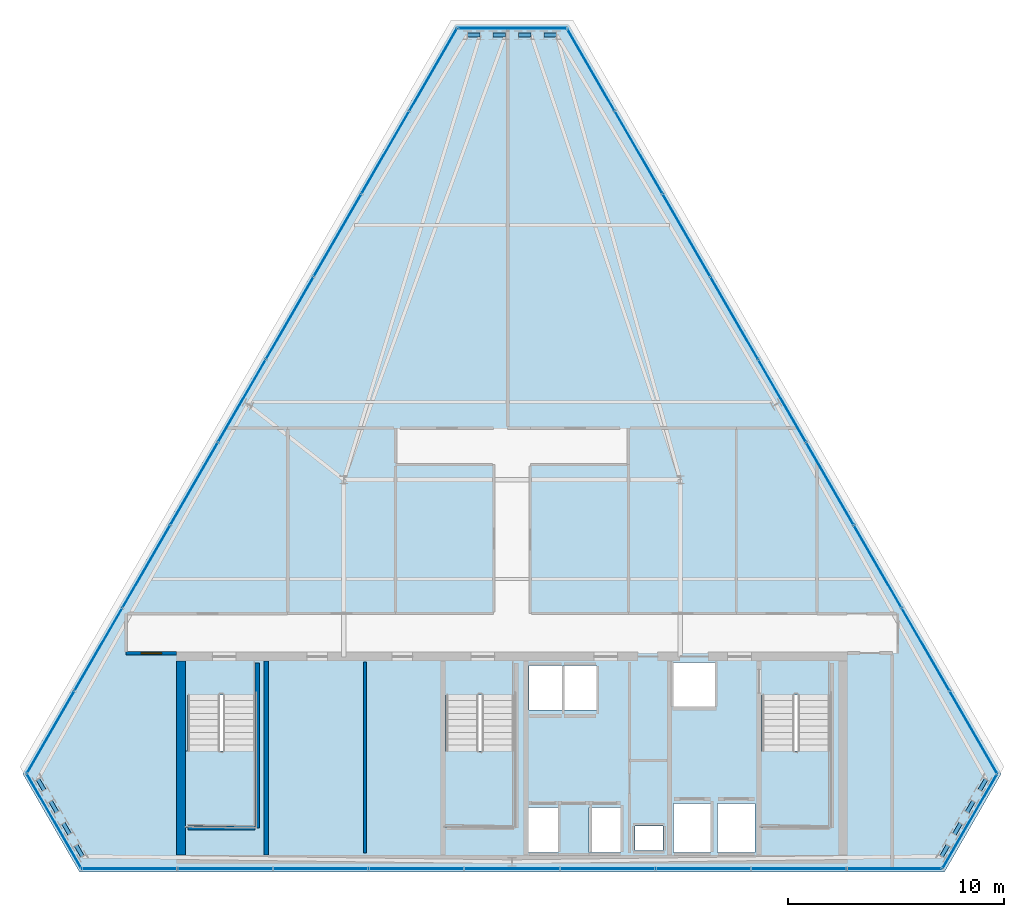
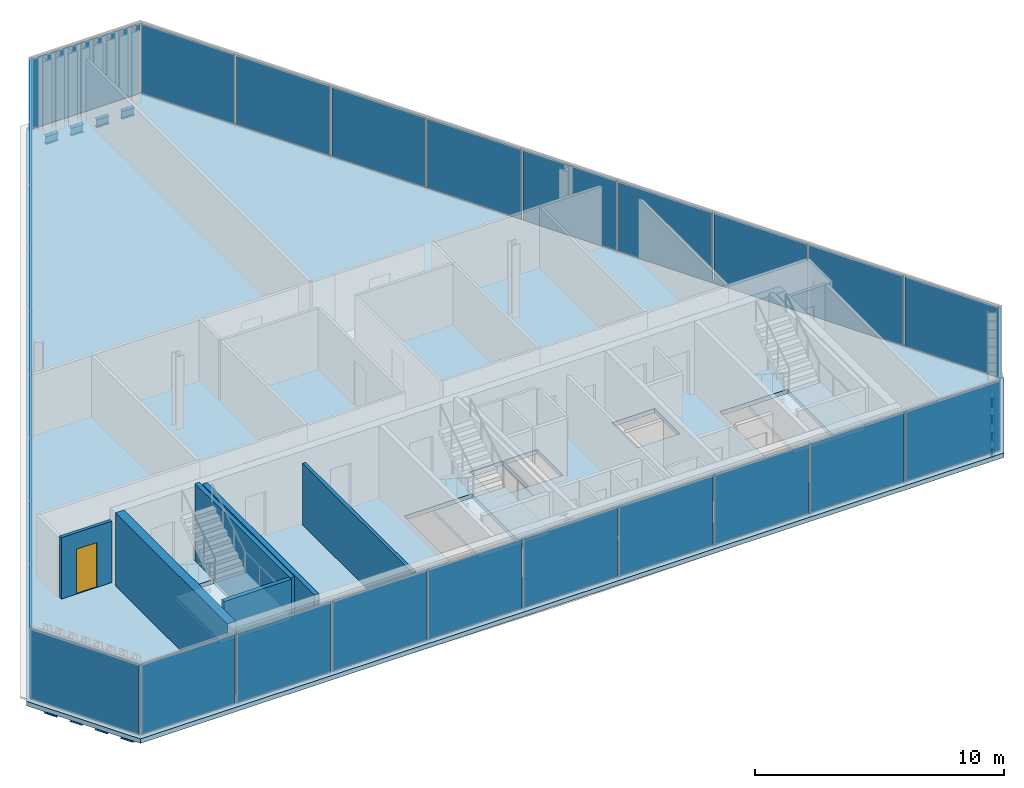
# One storey, part 29 of 35: 30 plates, 12 beams, 6 walls, 4 slabs, 1 door, 1 opening, 9 elements without a shape of their own.
"""IFC4 building model written with IfcOpenShell, lengths in metres."""

from ifc_helpers import new_model, si_unit, direction, frame, frame_2d, origin, origin_2d, place, context, subcontext, project, spatial, polyline, rectangle, i_section, outline, extrude, material, layer, layer_set, material_profile, profile_set, type_object, element, fill, aggregate, save


model = new_model("IFC4")

# Units and contexts
model_context = context("Model", 3, precision=1e-05, world=origin(), true_north=direction((0.0, 1.0)))
body_context = subcontext(model_context, "Body", "Model", "MODEL_VIEW")
ifc_project = project(units=[si_unit("LENGTHUNIT", "METRE"), si_unit("AREAUNIT", "SQUARE_METRE"), si_unit("VOLUMEUNIT", "CUBIC_METRE"), si_unit("PLANEANGLEUNIT", "RADIAN"), si_unit("MASSUNIT", "GRAM", prefix="KILO")], contexts=[model_context])

# Site, building, storey
site_placement = place(None, origin())
site = spatial("IfcSite", under=ifc_project, at=site_placement, CompositionType="ELEMENT")
building_placement = place(site_placement, origin())
building = spatial("IfcBuilding", under=site, at=building_placement, Name="Ndaravel Arena Tower", CompositionType="ELEMENT")
storey_placement = place(building_placement, frame((0.0, 0.0, 271.199951171875)))
storey = spatial("IfcBuildingStorey", under=building, at=storey_placement, Name="L66", CompositionType="ELEMENT", Elevation=271.199951171875)

# Beams
ifc_material_1 = material(Name="Steel S355", Category="steel")
ifc_material_profile = material_profile(ifc_material_1, i_section(OverallWidth=0.179931640625, OverallDepth=0.39990234375, WebThickness=0.008544921875, FlangeThickness=0.013427734375, FilletRadius=0.02099609375, at=origin_2d()), Name="IPE 400")
ifc_profile_set = profile_set([ifc_material_profile], Name="Steel S355")
beam_type = type_object("IfcBeamType", Name="BM-SPAN-IPE400", PredefinedType="SPANDREL", material=ifc_profile_set)
beam_1_placement = place(storey_placement, frame((61.921875, 5.735595703125, -0.419921875), z_axis=(0.500056887695, 0.865992557167, 0.0), x_axis=(-0.865992557167, 0.500056887695, 0.0)))
element("IfcBeam", 1, at=beam_1_placement, inside=storey, type_object=beam_type, Name="L66 Perimeter Spandrel Beam SP-02", PredefinedType="SPANDREL", context=body_context, shape_type="SweptSolid", body=[
    extrude(i_section(OverallWidth=0.179931640625, OverallDepth=0.39990234375, WebThickness=0.008544921875, FlangeThickness=0.013427734375, FilletRadius=0.02099609375, at=origin_2d()), origin(), (0.0, 0.0, 1.0), 0.58984375),
])
for number, where, z_axis, x_axis, name in (
    (2, (62.511962890625, 6.75732421875, -0.419921875), (0.499877680134, 0.866096013675, 0.0), (-0.866096013675, 0.499877680134, 0.0), "L66 Perimeter Spandrel Beam SP-04"),
    (3, (63.101806640625, 7.779296875, -0.419921875), (0.500187988959, 0.865916841101, 0.0), (-0.865916841101, 0.500187988959, 0.0), "L66 Perimeter Spandrel Beam SP-06"),
    (4, (63.69189453125, 8.80126953125, -0.419921875), (0.499877680134, 0.866096013675, 0.0), (-0.866096013675, 0.499877680134, 0.0), "L66 Perimeter Spandrel Beam SP-08"),
    (5, (44.065185546875, 43.818115234375, -0.419921875), (-1.0, 0.0, 0.0), (0.0, -1.0, 0.0), "L66 Perimeter Spandrel Beam SP-11"),
    (6, (42.885009765625, 43.818115234375, -0.419921875), (-1.0, 0.0, 0.0), (0.0, -1.0, 0.0), "L66 Perimeter Spandrel Beam SP-13"),
    (7, (41.705078125, 43.818115234375, -0.419921875), (-1.0, 0.0, 0.0), (0.0, -1.0, 0.0), "L66 Perimeter Spandrel Beam SP-15"),
    (8, (40.52490234375, 43.818115234375, -0.419921875), (-1.0, 0.0, 0.0), (0.0, -1.0, 0.0), "L66 Perimeter Spandrel Beam SP-17"),
    (9, (20.01318359375, 9.312255859375, -0.419921875), (0.499877680134, -0.866096013675, 0.0), (0.866096013675, 0.499877680134, 0.0), "L66 Perimeter Spandrel Beam SP-20"),
    (10, (20.60302734375, 8.290283203125, -0.419921875), (0.500187988959, -0.865916841101, 0.0), (0.865916841101, 0.500187988959, 0.0), "L66 Perimeter Spandrel Beam SP-22"),
    (11, (21.193115234375, 7.268310546875, -0.419921875), (0.499877680134, -0.866096013675, 0.0), (0.866096013675, 0.499877680134, 0.0), "L66 Perimeter Spandrel Beam SP-24"),
):
    element("IfcBeam", number, at=place(storey_placement, frame(where, z_axis=z_axis, x_axis=x_axis)), inside=storey, type_object=beam_type, Name=name, PredefinedType="SPANDREL", context=body_context, shape_type="SweptSolid", body=[
        extrude(i_section(OverallWidth=0.179931640625, OverallDepth=0.39990234375, WebThickness=0.008544921875, FlangeThickness=0.013427734375, FilletRadius=0.02099609375, at=origin_2d()), origin(), (0.0, 0.0, 1.0), 0.590087890625),
    ])
beam_2_placement = place(storey_placement, frame((21.783203125, 6.246337890625, -0.419921875), z_axis=(0.500056887695, -0.865992557167, 0.0), x_axis=(0.865992557167, 0.500056887695, 0.0)))
element("IfcBeam", 12, at=beam_2_placement, inside=storey, type_object=beam_type, Name="L66 Perimeter Spandrel Beam SP-26", PredefinedType="SPANDREL", context=body_context, shape_type="SweptSolid", body=[
    extrude(i_section(OverallWidth=0.179931640625, OverallDepth=0.39990234375, WebThickness=0.008544921875, FlangeThickness=0.013427734375, FilletRadius=0.02099609375, at=origin_2d()), origin(), (0.0, 0.0, 1.0), 0.58984375),
])

# Curtain wall, plate
ifc_material_2 = material(Name="Aluminium", Category="aluminium")
ifc_layer_1 = layer(ifc_material_2, 0.179931640625)
ifc_layer_set_1 = layer_set([ifc_layer_1], Name="Aluminium")
curtain_wall_type_1 = type_object("IfcCurtainWallType", Name="CW-SYS-01", PredefinedType="NOTDEFINED", material=ifc_layer_set_1)
curtain_wall_1_placement = place(storey_placement, origin())
curtain_wall_1 = element("IfcCurtainWall", 13, at=curtain_wall_1_placement, inside=storey, type_object=curtain_wall_type_1, Name="L66 Faceted Crystal Curtain Wall CW-L66-E02", PredefinedType="NOTDEFINED")
ifc_material_3 = material(Name="Glazing", Category="glass")
ifc_layer_2 = layer(ifc_material_3, 0.031982421875)
ifc_layer_set_2 = layer_set([ifc_layer_2], Name="Glazing")
plate_type_1 = type_object("IfcPlateType", Name="PLT-GLZ-FRIT35", PredefinedType="CURTAIN_PANEL", material=ifc_layer_set_2)
plate_1_placement = place(storey_placement, frame((63.2314453125, 7.364013671875, 0.06005859375), z_axis=(0.0, 0.0, 1.0), x_axis=(0.5, 0.866025403784, 0.0)))
plate_1 = element("IfcPlate", 14, at=plate_1_placement, type_object=plate_type_1, Name="CW-L66-E02 Vision Glass Panel 01", PredefinedType="CURTAIN_PANEL", context=body_context, shape_type="SweptSolid", body=[
    extrude(rectangle(XDim=5.009521484375, YDim=0.035888671875, at=origin_2d()), origin(), (0.0, 0.0, 1.0), 3.4599609375),
])
aggregate(curtain_wall_1, [plate_1])

curtain_wall_2_placement = place(storey_placement, origin())
curtain_wall_2 = element("IfcCurtainWall", 15, at=curtain_wall_2_placement, inside=storey, type_object=curtain_wall_type_1, Name="L66 Faceted Crystal Curtain Wall CW-L66-E04", PredefinedType="NOTDEFINED")
plate_2_placement = place(storey_placement, frame((42.0, 44.137939453125, 0.06005859375), z_axis=(0.0, 0.0, 1.0), x_axis=(-1.0, 0.0, 0.0)))
plate_2 = element("IfcPlate", 16, at=plate_2_placement, type_object=plate_type_1, Name="CW-L66-E04 Vision Glass Panel 01", PredefinedType="CURTAIN_PANEL", context=body_context, shape_type="SweptSolid", body=[
    extrude(rectangle(XDim=5.009521484375, YDim=0.035888671875, at=origin_2d()), origin(), (0.0, 0.0, 1.0), 3.4599609375),
])
aggregate(curtain_wall_2, [plate_2])

ifc_material_4 = material(Name="Aluminium", Category="aluminium")
ifc_layer_3 = layer(ifc_material_4, 0.179931640625)
ifc_layer_set_3 = layer_set([ifc_layer_3], Name="Aluminium")
curtain_wall_type_2 = type_object("IfcCurtainWallType", Name="CW-SYS-02", PredefinedType="NOTDEFINED", material=ifc_layer_set_3)
curtain_wall_3_placement = place(storey_placement, origin())
curtain_wall_3 = element("IfcCurtainWall", 17, at=curtain_wall_3_placement, inside=storey, type_object=curtain_wall_type_2, Name="L66 Faceted Crystal Curtain Wall CW-L66-E06", PredefinedType="NOTDEFINED")
ifc_material_5 = material(Name="Glazing", Category="glass")
ifc_layer_4 = layer(ifc_material_5, 0.035888671875)
ifc_layer_set_4 = layer_set([ifc_layer_4], Name="Glazing")
plate_type_2 = type_object("IfcPlateType", Name="PLT-GLZ-FRIT55", PredefinedType="CURTAIN_PANEL", material=ifc_layer_set_4)
plate_3_placement = place(storey_placement, frame((20.7685546875, 7.364013671875, 0.06005859375), z_axis=(0.0, 0.0, 1.0), x_axis=(0.5, -0.866025403784, 0.0)))
plate_3 = element("IfcPlate", 18, at=plate_3_placement, type_object=plate_type_2, Name="CW-L66-E06 Vision Glass Panel 01", PredefinedType="CURTAIN_PANEL", context=body_context, shape_type="SweptSolid", body=[
    extrude(rectangle(XDim=5.009521484375, YDim=0.035888671875, at=origin_2d()), origin(), (0.0, 0.0, 1.0), 3.4599609375),
])
aggregate(curtain_wall_3, [plate_3])

# Curtain wall, plates
ifc_material_6 = material(Name="Aluminium", Category="aluminium")
ifc_layer_5 = layer(ifc_material_6, 0.179931640625)
ifc_layer_set_5 = layer_set([ifc_layer_5], Name="Aluminium")
curtain_wall_type_3 = type_object("IfcCurtainWallType", Name="CW-SYS-03", PredefinedType="NOTDEFINED", material=ifc_layer_set_5)
curtain_wall_4_placement = place(storey_placement, origin())
curtain_wall_4 = element("IfcCurtainWall", 19, at=curtain_wall_4_placement, inside=storey, type_object=curtain_wall_type_3, Name="L66 Faceted Crystal Curtain Wall CW-L66-E01", PredefinedType="NOTDEFINED")
ifc_material_7 = material(Name="Glazing", Category="glass")
ifc_layer_6 = layer(ifc_material_7, 0.0400390625)
ifc_layer_set_6 = layer_set([ifc_layer_6], Name="Glazing")
plate_type_3 = type_object("IfcPlateType", Name="PLT-GLZ-LOWIRON", PredefinedType="CURTAIN_PANEL", material=ifc_layer_set_6)
plate_4_placement = place(storey_placement, frame((24.258544921875, 5.159912109375, 0.06005859375), z_axis=(0.0, 0.0, 1.0), x_axis=(1.0, 0.0, 0.0)))
plate_4 = element("IfcPlate", 20, at=plate_4_placement, type_object=plate_type_3, Name="CW-L66-E01 Vision Glass Panel 01", PredefinedType="CURTAIN_PANEL", context=body_context, shape_type="SweptSolid", body=[
    extrude(rectangle(XDim=4.35546875, YDim=0.035888671875, at=origin_2d()), origin(), (0.0, 0.0, 1.0), 3.4599609375),
])
plate_5_placement = place(storey_placement, frame((28.69384765625, 5.159912109375, 0.06005859375), z_axis=(0.0, 0.0, 1.0), x_axis=(1.0, 0.0, 0.0)))
plate_5 = element("IfcPlate", 21, at=plate_5_placement, type_object=plate_type_3, Name="CW-L66-E01 Vision Glass Panel 02", PredefinedType="CURTAIN_PANEL", context=body_context, shape_type="SweptSolid", body=[
    extrude(rectangle(XDim=4.35546875, YDim=0.035888671875, at=origin_2d()), origin(), (0.0, 0.0, 1.0), 3.4599609375),
])
plate_6_placement = place(storey_placement, frame((33.12939453125, 5.159912109375, 0.06005859375), z_axis=(0.0, 0.0, 1.0), x_axis=(1.0, 0.0, 0.0)))
plate_6 = element("IfcPlate", 22, at=plate_6_placement, type_object=plate_type_3, Name="CW-L66-E01 Vision Glass Panel 03", PredefinedType="CURTAIN_PANEL", context=body_context, shape_type="SweptSolid", body=[
    extrude(rectangle(XDim=4.35546875, YDim=0.035888671875, at=origin_2d()), origin(), (0.0, 0.0, 1.0), 3.4599609375),
])
plate_7_placement = place(storey_placement, frame((37.564697265625, 5.159912109375, 0.06005859375), z_axis=(0.0, 0.0, 1.0), x_axis=(1.0, 0.0, 0.0)))
plate_7 = element("IfcPlate", 23, at=plate_7_placement, type_object=plate_type_3, Name="CW-L66-E01 Vision Glass Panel 04", PredefinedType="CURTAIN_PANEL", context=body_context, shape_type="SweptSolid", body=[
    extrude(rectangle(XDim=4.35546875, YDim=0.035888671875, at=origin_2d()), origin(), (0.0, 0.0, 1.0), 3.4599609375),
])
plate_8_placement = place(storey_placement, frame((42.0, 5.159912109375, 0.06005859375), z_axis=(0.0, 0.0, 1.0), x_axis=(1.0, 0.0, 0.0)))
plate_8 = element("IfcPlate", 24, at=plate_8_placement, type_object=plate_type_3, Name="CW-L66-E01 Vision Glass Panel 05", PredefinedType="CURTAIN_PANEL", context=body_context, shape_type="SweptSolid", body=[
    extrude(rectangle(XDim=4.35546875, YDim=0.035888671875, at=origin_2d()), origin(), (0.0, 0.0, 1.0), 3.4599609375),
])
plate_9_placement = place(storey_placement, frame((46.435302734375, 5.159912109375, 0.06005859375), z_axis=(0.0, 0.0, 1.0), x_axis=(1.0, 0.0, 0.0)))
plate_9 = element("IfcPlate", 25, at=plate_9_placement, type_object=plate_type_3, Name="CW-L66-E01 Vision Glass Panel 06", PredefinedType="CURTAIN_PANEL", context=body_context, shape_type="SweptSolid", body=[
    extrude(rectangle(XDim=4.35546875, YDim=0.035888671875, at=origin_2d()), origin(), (0.0, 0.0, 1.0), 3.4599609375),
])
plate_10_placement = place(storey_placement, frame((50.87060546875, 5.159912109375, 0.06005859375), z_axis=(0.0, 0.0, 1.0), x_axis=(1.0, 0.0, 0.0)))
plate_10 = element("IfcPlate", 26, at=plate_10_placement, type_object=plate_type_3, Name="CW-L66-E01 Vision Glass Panel 07", PredefinedType="CURTAIN_PANEL", context=body_context, shape_type="SweptSolid", body=[
    extrude(rectangle(XDim=4.35546875, YDim=0.035888671875, at=origin_2d()), origin(), (0.0, 0.0, 1.0), 3.4599609375),
])
plate_11_placement = place(storey_placement, frame((55.30615234375, 5.159912109375, 0.06005859375), z_axis=(0.0, 0.0, 1.0), x_axis=(1.0, 0.0, 0.0)))
plate_11 = element("IfcPlate", 27, at=plate_11_placement, type_object=plate_type_3, Name="CW-L66-E01 Vision Glass Panel 08", PredefinedType="CURTAIN_PANEL", context=body_context, shape_type="SweptSolid", body=[
    extrude(rectangle(XDim=4.35546875, YDim=0.035888671875, at=origin_2d()), origin(), (0.0, 0.0, 1.0), 3.4599609375),
])
plate_12_placement = place(storey_placement, frame((59.741455078125, 5.159912109375, 0.06005859375), z_axis=(0.0, 0.0, 1.0), x_axis=(1.0, 0.0, 0.0)))
plate_12 = element("IfcPlate", 28, at=plate_12_placement, type_object=plate_type_3, Name="CW-L66-E01 Vision Glass Panel 09", PredefinedType="CURTAIN_PANEL", context=body_context, shape_type="SweptSolid", body=[
    extrude(rectangle(XDim=4.35546875, YDim=0.035888671875, at=origin_2d()), origin(), (0.0, 0.0, 1.0), 3.4599609375),
])
aggregate(curtain_wall_4, [plate_4, plate_5, plate_6, plate_7, plate_8, plate_9, plate_10, plate_11, plate_12])

curtain_wall_5_placement = place(storey_placement, origin())
curtain_wall_5 = element("IfcCurtainWall", 29, at=curtain_wall_5_placement, inside=storey, type_object=curtain_wall_type_3, Name="L66 Faceted Crystal Curtain Wall CW-L66-E03", PredefinedType="NOTDEFINED")
plate_13_placement = place(storey_placement, frame((63.39501953125, 11.48828125, 0.06005859375), z_axis=(0.0, 0.0, 1.0), x_axis=(-0.5, 0.866025403784, 0.0)))
plate_13 = element("IfcPlate", 30, at=plate_13_placement, type_object=plate_type_3, Name="CW-L66-E03 Vision Glass Panel 01", PredefinedType="CURTAIN_PANEL", context=body_context, shape_type="SweptSolid", body=[
    extrude(rectangle(XDim=4.35546875, YDim=0.035888671875, at=origin_2d()), origin(), (0.0, 0.0, 1.0), 3.4599609375),
])
plate_14_placement = place(storey_placement, frame((61.177490234375, 15.329345703125, 0.06005859375), z_axis=(0.0, 0.0, 1.0), x_axis=(-0.5, 0.866025403784, 0.0)))
plate_14 = element("IfcPlate", 31, at=plate_14_placement, type_object=plate_type_3, Name="CW-L66-E03 Vision Glass Panel 02", PredefinedType="CURTAIN_PANEL", context=body_context, shape_type="SweptSolid", body=[
    extrude(rectangle(XDim=4.35546875, YDim=0.035888671875, at=origin_2d()), origin(), (0.0, 0.0, 1.0), 3.4599609375),
])
plate_15_placement = place(storey_placement, frame((58.959716796875, 19.170654296875, 0.06005859375), z_axis=(0.0, 0.0, 1.0), x_axis=(-0.5, 0.866025403784, 0.0)))
plate_15 = element("IfcPlate", 32, at=plate_15_placement, type_object=plate_type_3, Name="CW-L66-E03 Vision Glass Panel 03", PredefinedType="CURTAIN_PANEL", context=body_context, shape_type="SweptSolid", body=[
    extrude(rectangle(XDim=4.35546875, YDim=0.035888671875, at=origin_2d()), origin(), (0.0, 0.0, 1.0), 3.4599609375),
])
plate_16_placement = place(storey_placement, frame((56.741943359375, 23.01171875, 0.06005859375), z_axis=(0.0, 0.0, 1.0), x_axis=(-0.5, 0.866025403784, 0.0)))
plate_16 = element("IfcPlate", 33, at=plate_16_placement, type_object=plate_type_3, Name="CW-L66-E03 Vision Glass Panel 04", PredefinedType="CURTAIN_PANEL", context=body_context, shape_type="SweptSolid", body=[
    extrude(rectangle(XDim=4.35546875, YDim=0.035888671875, at=origin_2d()), origin(), (0.0, 0.0, 1.0), 3.4599609375),
])
plate_17_placement = place(storey_placement, frame((54.5244140625, 26.852783203125, 0.06005859375), z_axis=(0.0, 0.0, 1.0), x_axis=(-0.5, 0.866025403784, 0.0)))
plate_17 = element("IfcPlate", 34, at=plate_17_placement, type_object=plate_type_3, Name="CW-L66-E03 Vision Glass Panel 05", PredefinedType="CURTAIN_PANEL", context=body_context, shape_type="SweptSolid", body=[
    extrude(rectangle(XDim=4.35546875, YDim=0.035888671875, at=origin_2d()), origin(), (0.0, 0.0, 1.0), 3.4599609375),
])
plate_18_placement = place(storey_placement, frame((52.306640625, 30.694091796875, 0.06005859375), z_axis=(0.0, 0.0, 1.0), x_axis=(-0.5, 0.866025403784, 0.0)))
plate_18 = element("IfcPlate", 35, at=plate_18_placement, type_object=plate_type_3, Name="CW-L66-E03 Vision Glass Panel 06", PredefinedType="CURTAIN_PANEL", context=body_context, shape_type="SweptSolid", body=[
    extrude(rectangle(XDim=4.35546875, YDim=0.035888671875, at=origin_2d()), origin(), (0.0, 0.0, 1.0), 3.4599609375),
])
plate_19_placement = place(storey_placement, frame((50.089111328125, 34.53515625, 0.06005859375), z_axis=(0.0, 0.0, 1.0), x_axis=(-0.5, 0.866025403784, 0.0)))
plate_19 = element("IfcPlate", 36, at=plate_19_placement, type_object=plate_type_3, Name="CW-L66-E03 Vision Glass Panel 07", PredefinedType="CURTAIN_PANEL", context=body_context, shape_type="SweptSolid", body=[
    extrude(rectangle(XDim=4.35546875, YDim=0.035888671875, at=origin_2d()), origin(), (0.0, 0.0, 1.0), 3.4599609375),
])
plate_20_placement = place(storey_placement, frame((47.871337890625, 38.376220703125, 0.06005859375), z_axis=(0.0, 0.0, 1.0), x_axis=(-0.5, 0.866025403784, 0.0)))
plate_20 = element("IfcPlate", 37, at=plate_20_placement, type_object=plate_type_3, Name="CW-L66-E03 Vision Glass Panel 08", PredefinedType="CURTAIN_PANEL", context=body_context, shape_type="SweptSolid", body=[
    extrude(rectangle(XDim=4.35546875, YDim=0.035888671875, at=origin_2d()), origin(), (0.0, 0.0, 1.0), 3.4599609375),
])
plate_21_placement = place(storey_placement, frame((45.653564453125, 42.21728515625, 0.06005859375), z_axis=(0.0, 0.0, 1.0), x_axis=(-0.5, 0.866025403784, 0.0)))
plate_21 = element("IfcPlate", 38, at=plate_21_placement, type_object=plate_type_3, Name="CW-L66-E03 Vision Glass Panel 09", PredefinedType="CURTAIN_PANEL", context=body_context, shape_type="SweptSolid", body=[
    extrude(rectangle(XDim=4.35546875, YDim=0.035888671875, at=origin_2d()), origin(), (0.0, 0.0, 1.0), 3.4599609375),
])
aggregate(curtain_wall_5, [plate_13, plate_14, plate_15, plate_16, plate_17, plate_18, plate_19, plate_20, plate_21])

curtain_wall_6_placement = place(storey_placement, origin())
curtain_wall_6 = element("IfcCurtainWall", 39, at=curtain_wall_6_placement, inside=storey, type_object=curtain_wall_type_3, Name="L66 Faceted Crystal Curtain Wall CW-L66-E05", PredefinedType="NOTDEFINED")
plate_22_placement = place(storey_placement, frame((38.346435546875, 42.21728515625, 0.06005859375), z_axis=(0.0, 0.0, 1.0), x_axis=(-0.5, -0.866025403784, 0.0)))
plate_22 = element("IfcPlate", 40, at=plate_22_placement, type_object=plate_type_3, Name="CW-L66-E05 Vision Glass Panel 01", PredefinedType="CURTAIN_PANEL", context=body_context, shape_type="SweptSolid", body=[
    extrude(rectangle(XDim=4.35546875, YDim=0.035888671875, at=origin_2d()), origin(), (0.0, 0.0, 1.0), 3.4599609375),
])
plate_23_placement = place(storey_placement, frame((36.128662109375, 38.376220703125, 0.06005859375), z_axis=(0.0, 0.0, 1.0), x_axis=(-0.5, -0.866025403784, 0.0)))
plate_23 = element("IfcPlate", 41, at=plate_23_placement, type_object=plate_type_3, Name="CW-L66-E05 Vision Glass Panel 02", PredefinedType="CURTAIN_PANEL", context=body_context, shape_type="SweptSolid", body=[
    extrude(rectangle(XDim=4.35546875, YDim=0.035888671875, at=origin_2d()), origin(), (0.0, 0.0, 1.0), 3.4599609375),
])
plate_24_placement = place(storey_placement, frame((33.910888671875, 34.53515625, 0.06005859375), z_axis=(0.0, 0.0, 1.0), x_axis=(-0.5, -0.866025403784, 0.0)))
plate_24 = element("IfcPlate", 42, at=plate_24_placement, type_object=plate_type_3, Name="CW-L66-E05 Vision Glass Panel 03", PredefinedType="CURTAIN_PANEL", context=body_context, shape_type="SweptSolid", body=[
    extrude(rectangle(XDim=4.35546875, YDim=0.035888671875, at=origin_2d()), origin(), (0.0, 0.0, 1.0), 3.4599609375),
])
plate_25_placement = place(storey_placement, frame((31.693359375, 30.694091796875, 0.06005859375), z_axis=(0.0, 0.0, 1.0), x_axis=(-0.5, -0.866025403784, 0.0)))
plate_25 = element("IfcPlate", 43, at=plate_25_placement, type_object=plate_type_3, Name="CW-L66-E05 Vision Glass Panel 04", PredefinedType="CURTAIN_PANEL", context=body_context, shape_type="SweptSolid", body=[
    extrude(rectangle(XDim=4.35546875, YDim=0.035888671875, at=origin_2d()), origin(), (0.0, 0.0, 1.0), 3.4599609375),
])
plate_26_placement = place(storey_placement, frame((29.4755859375, 26.852783203125, 0.06005859375), z_axis=(0.0, 0.0, 1.0), x_axis=(-0.5, -0.866025403784, 0.0)))
plate_26 = element("IfcPlate", 44, at=plate_26_placement, type_object=plate_type_3, Name="CW-L66-E05 Vision Glass Panel 05", PredefinedType="CURTAIN_PANEL", context=body_context, shape_type="SweptSolid", body=[
    extrude(rectangle(XDim=4.35546875, YDim=0.035888671875, at=origin_2d()), origin(), (0.0, 0.0, 1.0), 3.4599609375),
])
plate_27_placement = place(storey_placement, frame((27.258056640625, 23.01171875, 0.06005859375), z_axis=(0.0, 0.0, 1.0), x_axis=(-0.5, -0.866025403784, 0.0)))
plate_27 = element("IfcPlate", 45, at=plate_27_placement, type_object=plate_type_3, Name="CW-L66-E05 Vision Glass Panel 06", PredefinedType="CURTAIN_PANEL", context=body_context, shape_type="SweptSolid", body=[
    extrude(rectangle(XDim=4.35546875, YDim=0.035888671875, at=origin_2d()), origin(), (0.0, 0.0, 1.0), 3.4599609375),
])
plate_28_placement = place(storey_placement, frame((25.040283203125, 19.170654296875, 0.06005859375), z_axis=(0.0, 0.0, 1.0), x_axis=(-0.5, -0.866025403784, 0.0)))
plate_28 = element("IfcPlate", 46, at=plate_28_placement, type_object=plate_type_3, Name="CW-L66-E05 Vision Glass Panel 07", PredefinedType="CURTAIN_PANEL", context=body_context, shape_type="SweptSolid", body=[
    extrude(rectangle(XDim=4.35546875, YDim=0.035888671875, at=origin_2d()), origin(), (0.0, 0.0, 1.0), 3.4599609375),
])
plate_29_placement = place(storey_placement, frame((22.822509765625, 15.329345703125, 0.06005859375), z_axis=(0.0, 0.0, 1.0), x_axis=(-0.5, -0.866025403784, 0.0)))
plate_29 = element("IfcPlate", 47, at=plate_29_placement, type_object=plate_type_3, Name="CW-L66-E05 Vision Glass Panel 08", PredefinedType="CURTAIN_PANEL", context=body_context, shape_type="SweptSolid", body=[
    extrude(rectangle(XDim=4.35546875, YDim=0.035888671875, at=origin_2d()), origin(), (0.0, 0.0, 1.0), 3.4599609375),
])
plate_30_placement = place(storey_placement, frame((20.60498046875, 11.48828125, 0.06005859375), z_axis=(0.0, 0.0, 1.0), x_axis=(-0.5, -0.866025403784, 0.0)))
plate_30 = element("IfcPlate", 48, at=plate_30_placement, type_object=plate_type_3, Name="CW-L66-E05 Vision Glass Panel 09", PredefinedType="CURTAIN_PANEL", context=body_context, shape_type="SweptSolid", body=[
    extrude(rectangle(XDim=4.35546875, YDim=0.035888671875, at=origin_2d()), origin(), (0.0, 0.0, 1.0), 3.4599609375),
])
aggregate(curtain_wall_6, [plate_22, plate_23, plate_24, plate_25, plate_26, plate_27, plate_28, plate_29, plate_30])

# Stair, slab
ifc_material_8 = material(Name="Concrete C40/50", Category="concrete")
stair_type = type_object("IfcStairType", Name="STAIR-CORE-HT", PredefinedType="HALF_TURN_STAIR", material=ifc_material_8)
stair_1_placement = place(storey_placement, origin())
stair_1 = element("IfcStair", 49, at=stair_1_placement, inside=storey, type_object=stair_type, Name="L66 ST-1", PredefinedType="HALF_TURN_STAIR")
ifc_material_9 = material(Name="Concrete C40/50", Category="concrete")
ifc_layer_7 = layer(ifc_material_9, 0.199951171875)
ifc_layer_set_7 = layer_set([ifc_layer_7], Name="Concrete C40/50")
slab_type_1 = type_object("IfcSlabType", Name="SLAB-STAIR-LANDING", PredefinedType="LANDING", material=ifc_layer_set_7)
slab_1_placement = place(storey_placement, frame((0.0, 0.0, 1.699951171875)))
slab_1 = element("IfcSlab", 50, at=slab_1_placement, type_object=slab_type_1, Name="ST-1 landing 1", PredefinedType="LANDING", context=body_context, shape_type="SweptSolid", body=[
    extrude(outline(polyline([(26.81005859375, 10.6298828125), (26.81005859375, 7.070068359375), (30.169921875, 7.070068359375), (30.169921875, 10.6298828125), (26.81005859375, 10.6298828125)])), origin(), (0.0, 0.0, 1.0), 0.2001953125),
])
aggregate(stair_1, [slab_1])

stair_2_placement = place(storey_placement, origin())
stair_2 = element("IfcStair", 51, at=stair_2_placement, inside=storey, type_object=stair_type, Name="L66 ST-2", PredefinedType="HALF_TURN_STAIR")
slab_2_placement = place(storey_placement, frame((0.0, 0.0, 1.699951171875)))
slab_2 = element("IfcSlab", 52, at=slab_2_placement, type_object=slab_type_1, Name="ST-2 landing 1", PredefinedType="LANDING", context=body_context, shape_type="SweptSolid", body=[
    extrude(outline(polyline([(38.81005859375, 10.6298828125), (38.81005859375, 7.070068359375), (42.169921875, 7.070068359375), (42.169921875, 10.6298828125), (38.81005859375, 10.6298828125)])), origin(), (0.0, 0.0, 1.0), 0.2001953125),
])
aggregate(stair_2, [slab_2])

stair_3_placement = place(storey_placement, origin())
stair_3 = element("IfcStair", 53, at=stair_3_placement, inside=storey, type_object=stair_type, Name="L66 ST-3", PredefinedType="HALF_TURN_STAIR")
slab_3_placement = place(storey_placement, frame((0.0, 0.0, 1.699951171875)))
slab_3 = element("IfcSlab", 54, at=slab_3_placement, type_object=slab_type_1, Name="ST-3 landing 1", PredefinedType="LANDING", context=body_context, shape_type="SweptSolid", body=[
    extrude(outline(polyline([(53.4599609375, 10.6298828125), (53.4599609375, 7.070068359375), (56.820068359375, 7.070068359375), (56.820068359375, 10.6298828125), (53.4599609375, 10.6298828125)])), origin(), (0.0, 0.0, 1.0), 0.2001953125),
])
aggregate(stair_3, [slab_3])

# Slab
ifc_material_10 = material(Name="Concrete C40/50", Category="concrete")
ifc_layer_8 = layer(ifc_material_10, 0.219970703125)
ifc_layer_set_8 = layer_set([ifc_layer_8], Name="Concrete C40/50")
slab_type_2 = type_object("IfcSlabType", Name="SLAB-TWR-220", PredefinedType="FLOOR", material=ifc_layer_set_8)
slab_4_placement = place(storey_placement, frame((0.0, 0.0, -0.219970703125)))
element("IfcSlab", 55, at=slab_4_placement, inside=storey, type_object=slab_type_2, Name="L66 Structural Floor Slab", PredefinedType="FLOOR", context=body_context, shape_type="SweptSolid", body=[
    extrude(outline(polyline([(19.311279296875, 9.567626953125), (21.948486328125, 5.0), (62.051513671875, 5.0), (64.688720703125, 9.567626953125), (44.63720703125, 44.298095703125), (39.36279296875, 44.298095703125), (19.311279296875, 9.567626953125)]), holes=[polyline([(26.949951171875, 13.215087890625), (26.949951171875, 7.14990234375), (30.090087890625, 7.14990234375), (30.090087890625, 13.215087890625), (26.949951171875, 13.215087890625)]), polyline([(38.949951171875, 13.215087890625), (38.949951171875, 7.14990234375), (42.090087890625, 7.14990234375), (42.090087890625, 13.215087890625), (38.949951171875, 13.215087890625)]), polyline([(53.60009765625, 13.215087890625), (53.60009765625, 7.14990234375), (56.739990234375, 7.14990234375), (56.739990234375, 13.215087890625), (53.60009765625, 13.215087890625)]), polyline([(42.659912109375, 5.909912109375), (44.139892578125, 5.909912109375), (44.139892578125, 7.989990234375), (42.659912109375, 7.989990234375), (42.659912109375, 5.909912109375)]), polyline([(45.56005859375, 5.909912109375), (47.0400390625, 5.909912109375), (47.0400390625, 7.989990234375), (45.56005859375, 7.989990234375), (45.56005859375, 5.909912109375)]), polyline([(42.784912109375, 12.510009765625), (44.31494140625, 12.510009765625), (44.31494140625, 14.590087890625), (42.784912109375, 14.590087890625), (42.784912109375, 12.510009765625)]), polyline([(44.385009765625, 12.510009765625), (45.9150390625, 12.510009765625), (45.9150390625, 14.590087890625), (44.385009765625, 14.590087890625), (44.385009765625, 12.510009765625)]), polyline([(49.485107421875, 5.909912109375), (51.215087890625, 5.909912109375), (51.215087890625, 8.18994140625), (49.485107421875, 8.18994140625), (49.485107421875, 5.909912109375)]), polyline([(51.534912109375, 5.909912109375), (53.264892578125, 5.909912109375), (53.264892578125, 8.18994140625), (51.534912109375, 8.18994140625), (51.534912109375, 5.909912109375)]), polyline([(49.4599609375, 12.68505859375), (51.43994140625, 12.68505859375), (51.43994140625, 14.715087890625), (49.4599609375, 14.715087890625), (49.4599609375, 12.68505859375)]), polyline([(47.699951171875, 6.0), (49.0, 6.0), (49.0, 7.139892578125), (47.699951171875, 7.139892578125), (47.699951171875, 6.0)])]), origin(), (0.0, 0.0, 1.0), 0.219970703125),
])

# Walls
ifc_material_11 = material(Name="Gypsum", Category="gypsum")
ifc_layer_9 = layer(ifc_material_11, 0.14990234375)
ifc_layer_set_9 = layer_set([ifc_layer_9], Name="Gypsum")
wall_type_1 = type_object("IfcWallType", Name="WALL-COMP-150", PredefinedType="PARTITIONING", material=ifc_layer_set_9)
wall_1_placement = place(storey_placement, frame((35.179931640625, 5.89990234375, 0.0), z_axis=(0.0, 0.0, 1.0), x_axis=(0.0, 1.0, 0.0)))
element("IfcWall", 56, at=wall_1_placement, inside=storey, type_object=wall_type_1, Name="L66 High-Zone Core Divider 1", PredefinedType="PARTITIONING", context=body_context, shape_type="SweptSolid", body=[
    extrude(rectangle(XDim=8.85009765625, YDim=0.14990234375, at=frame_2d((4.425048828125, 0.0))), origin(), (0.0, 0.0, 1.0), 3.010498046875),
])
ifc_material_12 = material(Name="Concrete C50/60", Category="concrete")
ifc_layer_10 = layer(ifc_material_12, 0.219970703125)
ifc_layer_set_10 = layer_set([ifc_layer_10], Name="Concrete C50/60")
wall_type_2 = type_object("IfcWallType", Name="WALL-CORE-220", PredefinedType="SOLIDWALL", material=ifc_layer_set_10)
wall_2_placement = place(storey_placement, frame((30.60009765625, 5.800048828125, 0.0), z_axis=(0.0, 0.0, 1.0), x_axis=(0.0, 1.0, 0.0)))
element("IfcWall", 57, at=wall_2_placement, inside=storey, type_object=wall_type_2, Name="L66 Core Web Shear Wall 1", PredefinedType="SOLIDWALL", context=body_context, shape_type="SweptSolid", body=[
    extrude(rectangle(XDim=9.0, YDim=0.219970703125, at=frame_2d((4.5, 0.0))), origin(), (0.0, 0.0, 1.0), 3.580078125),
])
ifc_material_13 = material(Name="Concrete C50/60", Category="concrete")
ifc_layer_11 = layer(ifc_material_13, 0.39990234375)
ifc_layer_set_11 = layer_set([ifc_layer_11], Name="Concrete C50/60")
wall_type_3 = type_object("IfcWallType", Name="WALL-CORE-400", PredefinedType="SOLIDWALL", material=ifc_layer_set_11)
wall_3_placement = place(storey_placement, frame((26.64990234375, 5.800048828125, 0.0), z_axis=(0.0, 0.0, 1.0), x_axis=(0.0, 1.0, 0.0)))
element("IfcWall", 58, at=wall_3_placement, inside=storey, type_object=wall_type_3, Name="L66 Core West Shear Wall", PredefinedType="SOLIDWALL", context=body_context, shape_type="SweptSolid", body=[
    extrude(rectangle(XDim=9.0, YDim=0.39990234375, at=frame_2d((4.5, 0.0))), origin(), (0.0, 0.0, 1.0), 3.580078125),
])
ifc_material_14 = material(Name="Concrete C40/50", Category="concrete")
ifc_layer_12 = layer(ifc_material_14, 0.199951171875)
ifc_layer_set_12 = layer_set([ifc_layer_12], Name="Concrete C40/50")
wall_type_4 = type_object("IfcWallType", Name="WALL-SHAFT-200", PredefinedType="SOLIDWALL", material=ifc_layer_set_12)
wall_4_placement = place(storey_placement, frame((30.18994140625, 14.699951171875, 0.0), z_axis=(0.0, 0.0, 1.0), x_axis=(0.0, -1.0, 0.0)))
element("IfcWall", 59, at=wall_4_placement, inside=storey, type_object=wall_type_4, Name="L66 ST-1 Structural Shaft Wall Right", PredefinedType="SOLIDWALL", context=body_context, shape_type="SweptSolid", body=[
    extrude(rectangle(XDim=7.64990234375, YDim=0.199951171875, at=frame_2d((3.824951171875, 0.0))), origin(), (0.0, 0.0, 1.0), 3.800048828125),
])
wall_5_placement = place(storey_placement, frame((26.969970703125, 7.050048828125, 0.0), z_axis=(0.0, 0.0, 1.0), x_axis=(1.0, 0.0, 0.0)))
element("IfcWall", 60, at=wall_5_placement, inside=storey, type_object=wall_type_4, Name="L66 ST-1 Structural Shaft Wall Far", PredefinedType="SOLIDWALL", context=body_context, shape_type="SweptSolid", body=[
    extrude(rectangle(XDim=3.114990234375, YDim=0.199951171875, at=frame_2d((1.5576171875, 0.0))), origin(), (0.0, 0.0, 1.0), 3.800048828125),
])

# Wall, opening, door
ifc_material_15 = material(Name="Masonry", Category="masonry")
ifc_layer_13 = layer(ifc_material_15, 0.14990234375)
ifc_layer_set_13 = layer_set([ifc_layer_13], Name="Masonry")
wall_type_5 = type_object("IfcWallType", Name="WALL-WET-150", PredefinedType="PARTITIONING", material=ifc_layer_set_13)
wall_6_placement = place(storey_placement, frame((26.449951171875, 15.14990234375, 0.0), z_axis=(0.0, 0.0, 1.0), x_axis=(-1.0, 0.0, 0.0)))
wall_6 = element("IfcWall", 61, at=wall_6_placement, inside=storey, type_object=wall_type_5, Name="L66 Interior Partition 003", PredefinedType="PARTITIONING", context=body_context, shape_type="SweptSolid", body=[
    extrude(rectangle(XDim=2.35302734375, YDim=0.14990234375, at=frame_2d((1.176513671875, 0.0))), origin(), (0.0, 0.0, 1.0), 3.010498046875),
])
opening_placement = place(wall_6_placement, frame((0.701416015625, 0.0, 0.0)))
opening = element("IfcOpeningElement", 62, at=opening_placement, cuts=wall_6, Name="Opening FD-03", PredefinedType="OPENING", context=body_context, shape_type="SweptSolid", body=[
    extrude(rectangle(XDim=0.949951171875, YDim=2.199951171875, at=frame_2d((0.47509765625, 1.10009765625))), frame((0.0, 0.074951171875, 0.0), z_axis=(0.0, -1.0, 0.0), x_axis=(1.0, 0.0, 0.0)), (0.0, 0.0, 1.0), 0.14990234375),
])
ifc_material_16 = material(Name="Steel S355", Category="steel")
door_type = type_object("IfcDoorType", Name="DT-11-CORE-950", OperationType="SINGLE_SWING_LEFT", PredefinedType="DOOR", material=ifc_material_16)
door_placement = place(opening_placement, origin())
door = element("IfcDoor", 63, at=door_placement, inside=storey, type_object=door_type, Name="L66 Staff Espresso Kitchen Door", OperationType="SINGLE_SWING_RIGHT", OverallHeight=2.199951171875, OverallWidth=0.949951171875, PredefinedType="DOOR", context=body_context, shape_type="SweptSolid", body=[
    extrude(rectangle(XDim=0.949951171875, YDim=2.199951171875, at=frame_2d((0.47509765625, 1.10009765625))), frame((0.0, 0.02490234375, 0.0), z_axis=(0.0, -1.0, 0.0), x_axis=(1.0, 0.0, 0.0)), (0.0, 0.0, 1.0), 0.050048828125),
])
fill(opening, door)

save(model, "model.ifc")
